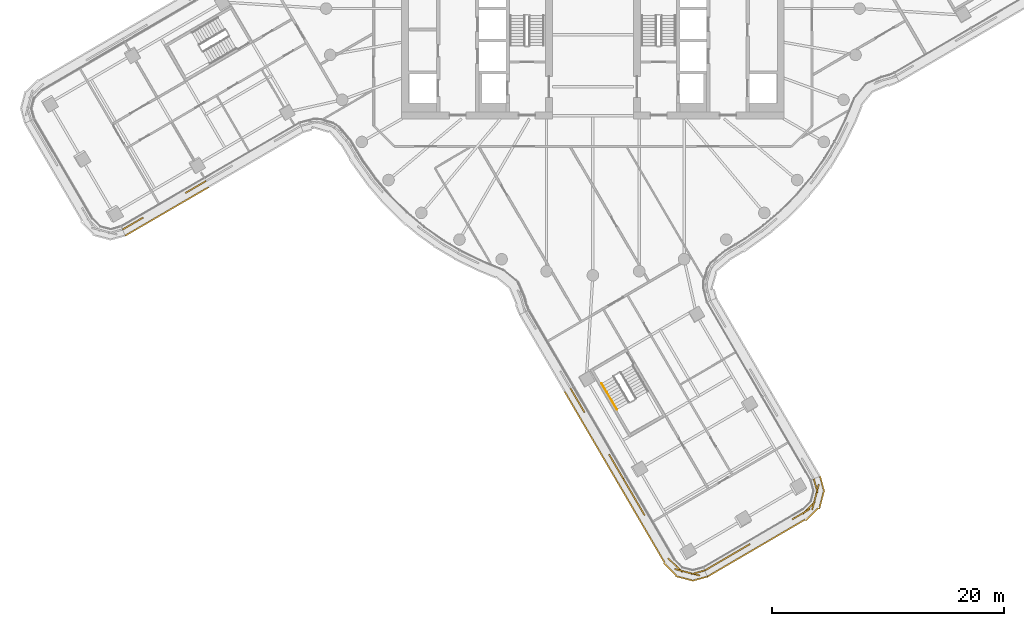
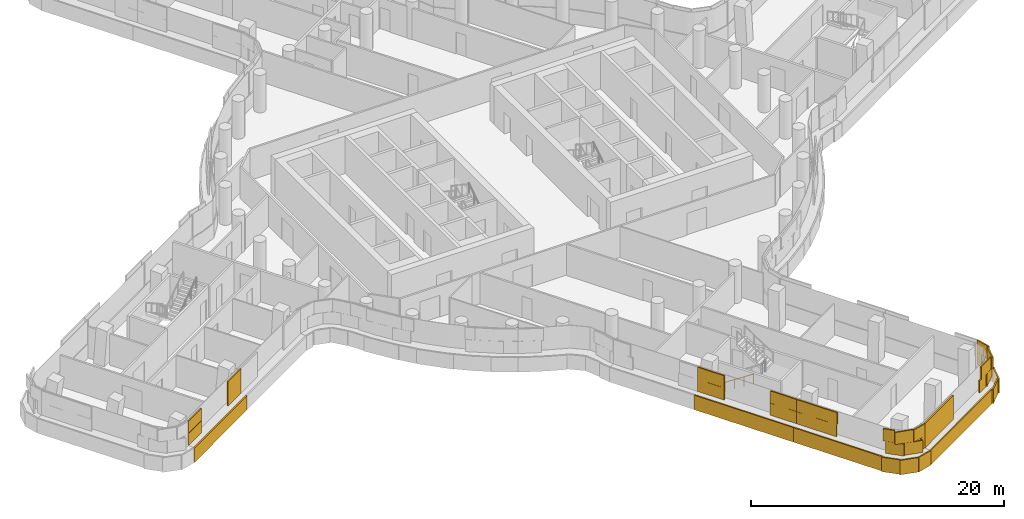
# One storey, part 27 of 35: 4 coverings, 1 railing.
"""IFC4 building model written with IfcOpenShell, lengths in metres."""

from ifc_helpers import new_model, si_unit, direction, frame, origin, origin_2d, place, context, subcontext, project, spatial, rectangle, circle, extrude, material, layer, layer_set, type_object, element, save


model = new_model("IFC4")

# Units and contexts
model_context = context("Model", 3, precision=1e-05, world=origin(), true_north=direction((0.0, 1.0)))
body_context = subcontext(model_context, "Body", "Model", "MODEL_VIEW")
ifc_project = project(units=[si_unit("LENGTHUNIT", "METRE"), si_unit("AREAUNIT", "SQUARE_METRE"), si_unit("VOLUMEUNIT", "CUBIC_METRE"), si_unit("PLANEANGLEUNIT", "RADIAN"), si_unit("MASSUNIT", "GRAM", prefix="KILO")], contexts=[model_context])

# Site, building, storey
site_placement = place(None, origin())
site = spatial("IfcSite", under=ifc_project, at=site_placement, CompositionType="ELEMENT")
building_placement = place(site_placement, origin())
building = spatial("IfcBuilding", under=site, at=building_placement, Name="Tamarind Cross Interchange Tower", CompositionType="ELEMENT")
storey_placement = place(building_placement, frame((0.0, 0.0, 144.25)))
storey = spatial("IfcBuildingStorey", under=building, at=storey_placement, Name="L35", CompositionType="ELEMENT", Elevation=144.25)

# Railing
ifc_material_1 = material(Name="Stair handrail")
railing_type = type_object("IfcRailingType", Name="Stair handrail", PredefinedType="HANDRAIL", material=ifc_material_1)
railing_placement = place(storey_placement, frame((0.763427734375, -32.3251953125, 0.17041015625)))
element("IfcRailing", 1, at=railing_placement, inside=storey, type_object=railing_type, Name="L35 ST6 stair handrail 1", PredefinedType="HANDRAIL", context=body_context, shape_type="SweptSolid", body=[
    extrude(circle(Radius=0.02392578125, at=origin_2d()), frame((0.0, 0.0, 0.8759765625), z_axis=(0.421927310507, -0.722058741879, 0.548277774421), x_axis=(0.863400629479, 0.504518932267, 0.0)), (0.0, 0.0, 1.0), 3.10888671875),
    extrude(circle(Radius=0.02099609375, at=origin_2d()), origin(), (0.0, 0.0, 1.0), 0.851806640625),
    extrude(circle(Radius=0.02099609375, at=origin_2d()), frame((0.437255859375, -0.748291015625, 0.568115234375)), (0.0, 0.0, 1.0), 0.851806640625),
    extrude(circle(Radius=0.02099609375, at=origin_2d()), frame((0.87451171875, -1.49658203125, 1.136474609375)), (0.0, 0.0, 1.0), 0.851806640625),
    extrude(circle(Radius=0.02099609375, at=origin_2d()), frame((1.311767578125, -2.244873046875, 1.70458984375)), (0.0, 0.0, 1.0), 0.851806640625),
])

# Coverings
ifc_material_2 = material(Name="Terracotta", Category="masonry")
ifc_layer = layer(ifc_material_2, 0.1201171875)
ifc_layer_set = layer_set([ifc_layer], Name="Terracotta")
covering_type = type_object("IfcCoveringType", Name="Terracotta baguette screen unit", PredefinedType="MOLDING", material=ifc_layer_set)
covering_1_placement = place(storey_placement, origin())
element("IfcCovering", 2, at=covering_1_placement, inside=storey, type_object=covering_type, Name="SCR-L35-01-00", PredefinedType="MOLDING", context=body_context, shape_type="SweptSolid", body=[
    extrude(rectangle(XDim=0.760009765625, YDim=0.1201171875, at=origin_2d()), frame((-40.224609375, -18.86181640625, 1.404052734375), z_axis=(0.0, 0.0, 1.0), x_axis=(0.864456031525, 0.502708433946, 0.0)), (0.0, 0.0, 1.0), 1.1669921875),
    extrude(rectangle(XDim=1.317138671875, YDim=0.1201171875, at=origin_2d()), frame((-39.33544921875, -18.3447265625, 1.404052734375), z_axis=(0.0, 0.0, 1.0), x_axis=(0.864456031525, 0.502708433946, 0.0)), (0.0, 0.0, 1.0), 1.1669921875),
    extrude(rectangle(XDim=0.5029296875, YDim=0.1201171875, at=origin_2d()), frame((-34.9267578125, -15.781005859375, 1.404052734375), z_axis=(0.0, 0.0, 1.0), x_axis=(0.864456031525, 0.502708433946, 0.0)), (0.0, 0.0, 1.0), 1.1669921875),
    extrude(rectangle(XDim=1.52001953125, YDim=0.1201171875, at=origin_2d()), frame((-34.0654296875, -15.280029296875, 1.404052734375), z_axis=(0.0, 0.0, 1.0), x_axis=(0.864456031525, 0.502708433946, 0.0)), (0.0, 0.0, 1.0), 1.1669921875),
    extrude(rectangle(XDim=0.073974609375, YDim=0.1201171875, at=origin_2d()), frame((-33.389404296875, -14.886962890625, 1.404052734375), z_axis=(0.0, 0.0, 1.0), x_axis=(0.864456031525, 0.502708433946, 0.0)), (0.0, 0.0, 1.0), 1.1669921875),
    extrude(rectangle(XDim=1.510009765625, YDim=0.1201171875, at=origin_2d()), frame((-39.900390625, -18.67333984375, 2.5791015625), z_axis=(0.0, 0.0, 1.0), x_axis=(0.864456031525, 0.502708433946, 0.0)), (0.0, 0.0, 1.0), 1.1669921875),
    extrude(rectangle(XDim=0.567138671875, YDim=0.1201171875, at=origin_2d()), frame((-39.01123046875, -18.15625, 2.5791015625), z_axis=(0.0, 0.0, 1.0), x_axis=(0.864456031525, 0.502708433946, 0.0)), (0.0, 0.0, 1.0), 1.1669921875),
    extrude(rectangle(XDim=1.2529296875, YDim=0.1201171875, at=origin_2d()), frame((-34.6025390625, -15.592529296875, 2.5791015625), z_axis=(0.0, 0.0, 1.0), x_axis=(0.864456031525, 0.502708433946, 0.0)), (0.0, 0.0, 1.0), 1.1669921875),
    extrude(rectangle(XDim=0.823974609375, YDim=0.1201171875, at=origin_2d()), frame((-33.71337890625, -15.075439453125, 2.5791015625), z_axis=(0.0, 0.0, 1.0), x_axis=(0.864456031525, 0.502708433946, 0.0)), (0.0, 0.0, 1.0), 1.1669921875),
    extrude(rectangle(XDim=0.760009765625, YDim=0.1201171875, at=origin_2d()), frame((-39.99658203125, -19.393310546875, 0.00390625), z_axis=(0.0, 0.0, 1.0), x_axis=(0.864456031525, 0.502708433946, 0.0)), (0.0, 0.0, 1.0), 1.39208984375),
    extrude(rectangle(XDim=1.52001953125, YDim=0.1201171875, at=origin_2d()), frame((-39.0283203125, -18.830078125, 0.00390625), z_axis=(0.0, 0.0, 1.0), x_axis=(0.864456031525, 0.502708433946, 0.0)), (0.0, 0.0, 1.0), 1.39208984375),
    extrude(rectangle(XDim=1.52001953125, YDim=0.1201171875, at=origin_2d()), frame((-37.731689453125, -18.076171875, 0.00390625), z_axis=(0.0, 0.0, 1.0), x_axis=(0.864456031525, 0.502708433946, 0.0)), (0.0, 0.0, 1.0), 1.39208984375),
    extrude(rectangle(XDim=1.52001953125, YDim=0.1201171875, at=origin_2d()), frame((-36.43505859375, -17.322021484375, 0.00390625), z_axis=(0.0, 0.0, 1.0), x_axis=(0.864456031525, 0.502708433946, 0.0)), (0.0, 0.0, 1.0), 1.39208984375),
    extrude(rectangle(XDim=1.52001953125, YDim=0.1201171875, at=origin_2d()), frame((-35.13818359375, -16.56787109375, 0.00390625), z_axis=(0.0, 0.0, 1.0), x_axis=(0.864456031525, 0.502708433946, 0.0)), (0.0, 0.0, 1.0), 1.39208984375),
    extrude(rectangle(XDim=1.52001953125, YDim=0.1201171875, at=origin_2d()), frame((-33.841552734375, -15.81396484375, 0.00390625), z_axis=(0.0, 0.0, 1.0), x_axis=(0.864456031525, 0.502708433946, 0.0)), (0.0, 0.0, 1.0), 1.39208984375),
    extrude(rectangle(XDim=0.072265625, YDim=0.1201171875, at=origin_2d()), frame((-33.170654296875, -15.423828125, 0.00390625), z_axis=(0.0, 0.0, 1.0), x_axis=(0.864456031525, 0.502708433946, 0.0)), (0.0, 0.0, 1.0), 1.39208984375),
])
covering_2_placement = place(storey_placement, origin())
element("IfcCovering", 3, at=covering_2_placement, inside=storey, type_object=covering_type, Name="SCR-L35-03-01", PredefinedType="MOLDING", context=body_context, shape_type="SweptSolid", body=[
    extrude(rectangle(XDim=0.61279296875, YDim=0.1201171875, at=origin_2d()), frame((-1.7822265625, -33.003173828125, 1.404052734375), z_axis=(0.0, 0.0, 1.0), x_axis=(0.50451556849, -0.863402595057, 0.0)), (0.0, 0.0, 1.0), 1.1669921875),
    extrude(rectangle(XDim=1.52001953125, YDim=0.1201171875, at=origin_2d()), frame((-1.251708984375, -33.910888671875, 1.404052734375), z_axis=(0.0, 0.0, 1.0), x_axis=(0.50451556849, -0.863402595057, 0.0)), (0.0, 0.0, 1.0), 1.1669921875),
    extrude(rectangle(XDim=0.310546875, YDim=0.1201171875, at=origin_2d()), frame((-0.797607421875, -34.688232421875, 1.404052734375), z_axis=(0.0, 0.0, 1.0), x_axis=(0.50451556849, -0.863402595057, 0.0)), (0.0, 0.0, 1.0), 1.1669921875),
    extrude(rectangle(XDim=1.509521484375, YDim=0.1201171875, at=origin_2d()), frame((1.775390625, -39.091552734375, 1.404052734375), z_axis=(0.0, 0.0, 1.0), x_axis=(0.50451556849, -0.863402595057, 0.0)), (0.0, 0.0, 1.0), 1.1669921875),
    extrude(rectangle(XDim=0.91357421875, YDim=0.1201171875, at=origin_2d()), frame((2.381591796875, -40.12890625, 1.404052734375), z_axis=(0.0, 0.0, 1.0), x_axis=(0.50451556849, -0.863402595057, 0.0)), (0.0, 0.0, 1.0), 1.1669921875),
    extrude(rectangle(XDim=1.36279296875, YDim=0.1201171875, at=origin_2d()), frame((-1.593017578125, -33.326904296875, 2.5791015625), z_axis=(0.0, 0.0, 1.0), x_axis=(0.50451556849, -0.863402595057, 0.0)), (0.0, 0.0, 1.0), 1.1669921875),
    extrude(rectangle(XDim=1.060546875, YDim=0.1201171875, at=origin_2d()), frame((-0.98681640625, -34.3642578125, 2.5791015625), z_axis=(0.0, 0.0, 1.0), x_axis=(0.50451556849, -0.863402595057, 0.0)), (0.0, 0.0, 1.0), 1.1669921875),
    extrude(rectangle(XDim=0.759521484375, YDim=0.1201171875, at=origin_2d()), frame((1.586181640625, -38.767822265625, 2.5791015625), z_axis=(0.0, 0.0, 1.0), x_axis=(0.50451556849, -0.863402595057, 0.0)), (0.0, 0.0, 1.0), 1.1669921875),
    extrude(rectangle(XDim=1.52001953125, YDim=0.1201171875, at=origin_2d()), frame((2.15380859375, -39.73876953125, 2.5791015625), z_axis=(0.0, 0.0, 1.0), x_axis=(0.50451556849, -0.863402595057, 0.0)), (0.0, 0.0, 1.0), 1.1669921875),
    extrude(rectangle(XDim=0.16357421875, YDim=0.1201171875, at=origin_2d()), frame((2.57080078125, -40.45263671875, 2.5791015625), z_axis=(0.0, 0.0, 1.0), x_axis=(0.50451556849, -0.863402595057, 0.0)), (0.0, 0.0, 1.0), 1.1669921875),
    extrude(rectangle(XDim=0.578125, YDim=0.1201171875, at=origin_2d()), frame((-2.285400390625, -33.279541015625, 0.00390625), z_axis=(0.0, 0.0, 1.0), x_axis=(0.50451556849, -0.863402595057, 0.0)), (0.0, 0.0, 1.0), 1.39208984375),
    extrude(rectangle(XDim=1.52001953125, YDim=0.1201171875, at=origin_2d()), frame((-1.766357421875, -34.16796875, 0.00390625), z_axis=(0.0, 0.0, 1.0), x_axis=(0.50451556849, -0.863402595057, 0.0)), (0.0, 0.0, 1.0), 1.39208984375),
    extrude(rectangle(XDim=1.52001953125, YDim=0.1201171875, at=origin_2d()), frame((-1.009521484375, -35.463134765625, 0.00390625), z_axis=(0.0, 0.0, 1.0), x_axis=(0.50451556849, -0.863402595057, 0.0)), (0.0, 0.0, 1.0), 1.39208984375),
    extrude(rectangle(XDim=1.52001953125, YDim=0.1201171875, at=origin_2d()), frame((-0.252685546875, -36.75830078125, 0.00390625), z_axis=(0.0, 0.0, 1.0), x_axis=(0.50451556849, -0.863402595057, 0.0)), (0.0, 0.0, 1.0), 1.39208984375),
    extrude(rectangle(XDim=1.52001953125, YDim=0.1201171875, at=origin_2d()), frame((0.50390625, -38.05322265625, 0.00390625), z_axis=(0.0, 0.0, 1.0), x_axis=(0.50451556849, -0.863402595057, 0.0)), (0.0, 0.0, 1.0), 1.39208984375),
    extrude(rectangle(XDim=1.52001953125, YDim=0.1201171875, at=origin_2d()), frame((1.2607421875, -39.348388671875, 0.00390625), z_axis=(0.0, 0.0, 1.0), x_axis=(0.50451556849, -0.863402595057, 0.0)), (0.0, 0.0, 1.0), 1.39208984375),
    extrude(rectangle(XDim=0.989013671875, YDim=0.1201171875, at=origin_2d()), frame((1.883544921875, -40.414306640625, 0.00390625), z_axis=(0.0, 0.0, 1.0), x_axis=(0.50451556849, -0.863402595057, 0.0)), (0.0, 0.0, 1.0), 1.39208984375),
])
covering_3_placement = place(storey_placement, origin())
element("IfcCovering", 4, at=covering_3_placement, inside=storey, type_object=covering_type, Name="SCR-L35-03-02", PredefinedType="MOLDING", context=body_context, shape_type="SweptSolid", body=[
    extrude(rectangle(XDim=0.6064453125, YDim=0.1201171875, at=origin_2d()), frame((2.760009765625, -40.776611328125, 1.404052734375), z_axis=(0.0, 0.0, 1.0), x_axis=(0.50451556849, -0.863402595057, 0.0)), (0.0, 0.0, 1.0), 1.1669921875),
    extrude(rectangle(XDim=1.52001953125, YDim=0.1201171875, at=origin_2d()), frame((3.288818359375, -41.681396484375, 1.404052734375), z_axis=(0.0, 0.0, 1.0), x_axis=(0.50451556849, -0.863402595057, 0.0)), (0.0, 0.0, 1.0), 1.1669921875),
    extrude(rectangle(XDim=1.52001953125, YDim=0.1201171875, at=origin_2d()), frame((4.045654296875, -42.9765625, 1.404052734375), z_axis=(0.0, 0.0, 1.0), x_axis=(0.50451556849, -0.863402595057, 0.0)), (0.0, 0.0, 1.0), 1.1669921875),
    extrude(rectangle(XDim=1.52001953125, YDim=0.1201171875, at=origin_2d()), frame((7.181396484375, -48.07275390625, 1.404052734375), z_axis=(0.0, 0.0, 1.0), x_axis=(0.710789652561, -0.703404627375, 0.0)), (0.0, 0.0, 1.0), 1.1669921875),
    extrude(rectangle(XDim=1.52001953125, YDim=0.1201171875, at=origin_2d()), frame((8.492431640625, -48.698486328125, 1.404052734375), z_axis=(0.0, 0.0, 1.0), x_axis=(0.967264209552, -0.253771450166, 0.0)), (0.0, 0.0, 1.0), 1.1669921875),
    extrude(rectangle(XDim=0.459716796875, YDim=0.1201171875, at=origin_2d()), frame((9.43310546875, -48.5078125, 1.404052734375), z_axis=(0.0, 0.0, 1.0), x_axis=(0.964561102727, 0.263859582177, 0.0)), (0.0, 0.0, 1.0), 1.1669921875),
    extrude(rectangle(XDim=1.3564453125, YDim=0.1201171875, at=origin_2d()), frame((2.94921875, -41.100341796875, 2.5791015625), z_axis=(0.0, 0.0, 1.0), x_axis=(0.50451556849, -0.863402595057, 0.0)), (0.0, 0.0, 1.0), 1.1669921875),
    extrude(rectangle(XDim=1.52001953125, YDim=0.1201171875, at=origin_2d()), frame((3.667236328125, -42.3291015625, 2.5791015625), z_axis=(0.0, 0.0, 1.0), x_axis=(0.50451556849, -0.863402595057, 0.0)), (0.0, 0.0, 1.0), 1.1669921875),
    extrude(rectangle(XDim=0.836669921875, YDim=0.1201171875, at=origin_2d()), frame((4.254150390625, -43.33349609375, 2.5791015625), z_axis=(0.0, 0.0, 1.0), x_axis=(0.50451556849, -0.863402595057, 0.0)), (0.0, 0.0, 1.0), 1.1669921875),
    extrude(rectangle(XDim=0.9833984375, YDim=0.1201171875, at=origin_2d()), frame((6.83544921875, -47.73046875, 2.5791015625), z_axis=(0.0, 0.0, 1.0), x_axis=(0.710789652561, -0.703404627375, 0.0)), (0.0, 0.0, 1.0), 1.1669921875),
    extrude(rectangle(XDim=1.52001953125, YDim=0.1201171875, at=origin_2d()), frame((7.766845703125, -48.50830078125, 2.5791015625), z_axis=(0.0, 0.0, 1.0), x_axis=(0.967264209552, -0.253771450166, 0.0)), (0.0, 0.0, 1.0), 1.1669921875),
    extrude(rectangle(XDim=1.209716796875, YDim=0.1201171875, at=origin_2d()), frame((9.0712890625, -48.606689453125, 2.5791015625), z_axis=(0.0, 0.0, 1.0), x_axis=(0.964561102727, 0.263859582177, 0.0)), (0.0, 0.0, 1.0), 1.1669921875),
    extrude(rectangle(XDim=0.531005859375, YDim=0.1201171875, at=origin_2d()), frame((2.26708984375, -41.070556640625, 0.00390625), z_axis=(0.0, 0.0, 1.0), x_axis=(0.50451556849, -0.863402595057, 0.0)), (0.0, 0.0, 1.0), 1.39208984375),
    extrude(rectangle(XDim=1.52001953125, YDim=0.1201171875, at=origin_2d()), frame((2.7744140625, -41.938720703125, 0.00390625), z_axis=(0.0, 0.0, 1.0), x_axis=(0.50451556849, -0.863402595057, 0.0)), (0.0, 0.0, 1.0), 1.39208984375),
    extrude(rectangle(XDim=1.52001953125, YDim=0.1201171875, at=origin_2d()), frame((3.531005859375, -43.233642578125, 0.00390625), z_axis=(0.0, 0.0, 1.0), x_axis=(0.50451556849, -0.863402595057, 0.0)), (0.0, 0.0, 1.0), 1.39208984375),
    extrude(rectangle(XDim=1.52001953125, YDim=0.1201171875, at=origin_2d()), frame((4.287841796875, -44.52880859375, 0.00390625), z_axis=(0.0, 0.0, 1.0), x_axis=(0.50451556849, -0.863402595057, 0.0)), (0.0, 0.0, 1.0), 1.39208984375),
    extrude(rectangle(XDim=1.52001953125, YDim=0.1201171875, at=origin_2d()), frame((5.044677734375, -45.823974609375, 0.00390625), z_axis=(0.0, 0.0, 1.0), x_axis=(0.50451556849, -0.863402595057, 0.0)), (0.0, 0.0, 1.0), 1.39208984375),
    extrude(rectangle(XDim=1.52001953125, YDim=0.1201171875, at=origin_2d()), frame((5.801513671875, -47.119140625, 0.00390625), z_axis=(0.0, 0.0, 1.0), x_axis=(0.50451556849, -0.863402595057, 0.0)), (0.0, 0.0, 1.0), 1.39208984375),
    extrude(rectangle(XDim=1.52001953125, YDim=0.1201171875, at=origin_2d()), frame((6.643310546875, -48.34814453125, 0.00390625), z_axis=(0.0, 0.0, 1.0), x_axis=(0.710789652561, -0.703404627375, 0.0)), (0.0, 0.0, 1.0), 1.39208984375),
    extrude(rectangle(XDim=1.52001953125, YDim=0.1201171875, at=origin_2d()), frame((7.86669921875, -49.1279296875, 0.00390625), z_axis=(0.0, 0.0, 1.0), x_axis=(0.967264209552, -0.253771450166, 0.0)), (0.0, 0.0, 1.0), 1.39208984375),
    extrude(rectangle(XDim=1.33935546875, YDim=0.1201171875, at=origin_2d()), frame((9.228515625, -49.158935546875, 0.00390625), z_axis=(0.0, 0.0, 1.0), x_axis=(0.964561102727, 0.263859582177, 0.0)), (0.0, 0.0, 1.0), 1.39208984375),
])
covering_4_placement = place(storey_placement, origin())
element("IfcCovering", 5, at=covering_4_placement, inside=storey, type_object=covering_type, Name="SCR-L35-04-00", PredefinedType="MOLDING", context=body_context, shape_type="SweptSolid", body=[
    extrude(rectangle(XDim=0.760009765625, YDim=0.1201171875, at=origin_2d()), frame((9.973876953125, -48.25927734375, 1.404052734375), z_axis=(0.0, 0.0, 1.0), x_axis=(0.863402595057, 0.50451556849, 0.0)), (0.0, 0.0, 1.0), 1.1669921875),
    extrude(rectangle(XDim=1.52001953125, YDim=0.1201171875, at=origin_2d()), frame((10.945068359375, -47.691650390625, 1.404052734375), z_axis=(0.0, 0.0, 1.0), x_axis=(0.863402595057, 0.50451556849, 0.0)), (0.0, 0.0, 1.0), 1.1669921875),
    extrude(rectangle(XDim=1.52001953125, YDim=0.1201171875, at=origin_2d()), frame((12.240234375, -46.93505859375, 1.404052734375), z_axis=(0.0, 0.0, 1.0), x_axis=(0.863402595057, 0.50451556849, 0.0)), (0.0, 0.0, 1.0), 1.1669921875),
    extrude(rectangle(XDim=0.784912109375, YDim=0.1201171875, at=origin_2d()), frame((13.22216796875, -46.361083984375, 1.404052734375), z_axis=(0.0, 0.0, 1.0), x_axis=(0.863402595057, 0.50451556849, 0.0)), (0.0, 0.0, 1.0), 1.1669921875),
    extrude(rectangle(XDim=1.03515625, YDim=0.1201171875, at=origin_2d()), frame((17.62548828125, -43.7880859375, 1.404052734375), z_axis=(0.0, 0.0, 1.0), x_axis=(0.863402595057, 0.50451556849, 0.0)), (0.0, 0.0, 1.0), 1.1669921875),
    extrude(rectangle(XDim=1.52001953125, YDim=0.1201171875, at=origin_2d()), frame((18.6396484375, -43.052978515625, 1.404052734375), z_axis=(0.0, 0.0, 1.0), x_axis=(0.703404627375, 0.710789652561, 0.0)), (0.0, 0.0, 1.0), 1.1669921875),
    extrude(rectangle(XDim=1.52001953125, YDim=0.1201171875, at=origin_2d()), frame((19.28759765625, -41.754638671875, 1.404052734375), z_axis=(0.0, 0.0, 1.0), x_axis=(0.253771450166, 0.967264209552, 0.0)), (0.0, 0.0, 1.0), 1.1669921875),
    extrude(rectangle(XDim=0.509521484375, YDim=0.1201171875, at=origin_2d()), frame((19.1162109375, -40.789794921875, 1.404052734375), z_axis=(0.0, 0.0, 1.0), x_axis=(-0.263859582177, 0.964561102727, 0.0)), (0.0, 0.0, 1.0), 1.1669921875),
    extrude(rectangle(XDim=1.510009765625, YDim=0.1201171875, at=origin_2d()), frame((10.297607421875, -48.070068359375, 2.5791015625), z_axis=(0.0, 0.0, 1.0), x_axis=(0.863402595057, 0.50451556849, 0.0)), (0.0, 0.0, 1.0), 1.1669921875),
    extrude(rectangle(XDim=1.52001953125, YDim=0.1201171875, at=origin_2d()), frame((11.5927734375, -47.3134765625, 2.5791015625), z_axis=(0.0, 0.0, 1.0), x_axis=(0.863402595057, 0.50451556849, 0.0)), (0.0, 0.0, 1.0), 1.1669921875),
    extrude(rectangle(XDim=1.52001953125, YDim=0.1201171875, at=origin_2d()), frame((12.8876953125, -46.556640625, 2.5791015625), z_axis=(0.0, 0.0, 1.0), x_axis=(0.863402595057, 0.50451556849, 0.0)), (0.0, 0.0, 1.0), 1.1669921875),
    extrude(rectangle(XDim=1.52001953125, YDim=0.1201171875, at=origin_2d()), frame((18.068115234375, -43.529541015625, 2.5791015625), z_axis=(0.0, 0.0, 1.0), x_axis=(0.863402595057, 0.50451556849, 0.0)), (0.0, 0.0, 1.0), 1.1669921875),
    extrude(rectangle(XDim=1.52001953125, YDim=0.1201171875, at=origin_2d()), frame((19.097412109375, -42.47998046875, 2.5791015625), z_axis=(0.0, 0.0, 1.0), x_axis=(0.253771450166, 0.967264209552, 0.0)), (0.0, 0.0, 1.0), 1.1669921875),
    extrude(rectangle(XDim=1.259521484375, YDim=0.1201171875, at=origin_2d()), frame((19.215087890625, -41.1513671875, 2.5791015625), z_axis=(0.0, 0.0, 1.0), x_axis=(-0.263859582177, 0.964561102727, 0.0)), (0.0, 0.0, 1.0), 1.1669921875),
    extrude(rectangle(XDim=0.760009765625, YDim=0.1201171875, at=origin_2d()), frame((10.202392578125, -48.79052734375, 0.00390625), z_axis=(0.0, 0.0, 1.0), x_axis=(0.863402595057, 0.50451556849, 0.0)), (0.0, 0.0, 1.0), 1.39208984375),
    extrude(rectangle(XDim=1.52001953125, YDim=0.1201171875, at=origin_2d()), frame((11.16943359375, -48.2255859375, 0.00390625), z_axis=(0.0, 0.0, 1.0), x_axis=(0.863402595057, 0.50451556849, 0.0)), (0.0, 0.0, 1.0), 1.39208984375),
    extrude(rectangle(XDim=1.52001953125, YDim=0.1201171875, at=origin_2d()), frame((12.464599609375, -47.46875, 0.00390625), z_axis=(0.0, 0.0, 1.0), x_axis=(0.863402595057, 0.50451556849, 0.0)), (0.0, 0.0, 1.0), 1.39208984375),
    extrude(rectangle(XDim=1.52001953125, YDim=0.1201171875, at=origin_2d()), frame((13.759765625, -46.7119140625, 0.00390625), z_axis=(0.0, 0.0, 1.0), x_axis=(0.863402595057, 0.50451556849, 0.0)), (0.0, 0.0, 1.0), 1.39208984375),
    extrude(rectangle(XDim=1.52001953125, YDim=0.1201171875, at=origin_2d()), frame((15.0546875, -45.955078125, 0.00390625), z_axis=(0.0, 0.0, 1.0), x_axis=(0.863402595057, 0.50451556849, 0.0)), (0.0, 0.0, 1.0), 1.39208984375),
    extrude(rectangle(XDim=1.52001953125, YDim=0.1201171875, at=origin_2d()), frame((16.349853515625, -45.198486328125, 0.00390625), z_axis=(0.0, 0.0, 1.0), x_axis=(0.863402595057, 0.50451556849, 0.0)), (0.0, 0.0, 1.0), 1.39208984375),
    extrude(rectangle(XDim=1.52001953125, YDim=0.1201171875, at=origin_2d()), frame((17.64501953125, -44.441650390625, 0.00390625), z_axis=(0.0, 0.0, 1.0), x_axis=(0.863402595057, 0.50451556849, 0.0)), (0.0, 0.0, 1.0), 1.39208984375),
    extrude(rectangle(XDim=1.52001953125, YDim=0.1201171875, at=origin_2d()), frame((18.887939453125, -43.61767578125, 0.00390625), z_axis=(0.0, 0.0, 1.0), x_axis=(0.703404627375, 0.710789652561, 0.0)), (0.0, 0.0, 1.0), 1.39208984375),
    extrude(rectangle(XDim=1.52001953125, YDim=0.1201171875, at=origin_2d()), frame((19.707275390625, -42.4169921875, 0.00390625), z_axis=(0.0, 0.0, 1.0), x_axis=(0.253771450166, 0.967264209552, 0.0)), (0.0, 0.0, 1.0), 1.39208984375),
    extrude(rectangle(XDim=1.426513671875, YDim=0.1201171875, at=origin_2d()), frame((19.7724609375, -41.012939453125, 0.00390625), z_axis=(0.0, 0.0, 1.0), x_axis=(-0.263859582177, 0.964561102727, 0.0)), (0.0, 0.0, 1.0), 1.39208984375),
])

save(model, "model.ifc")
